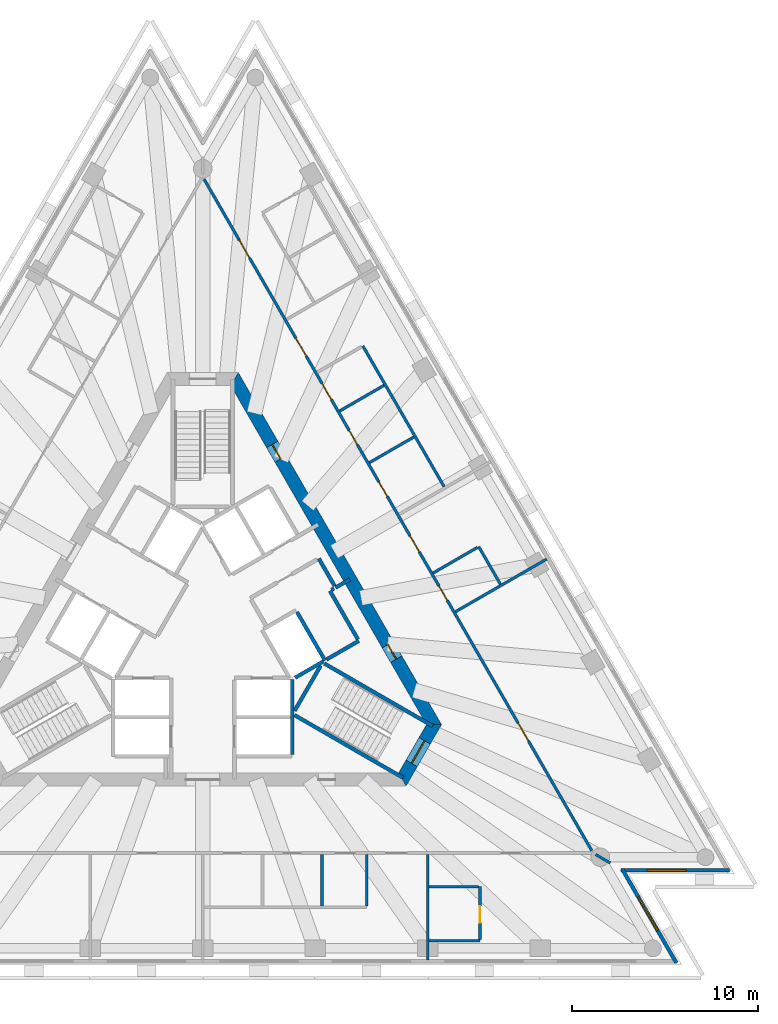
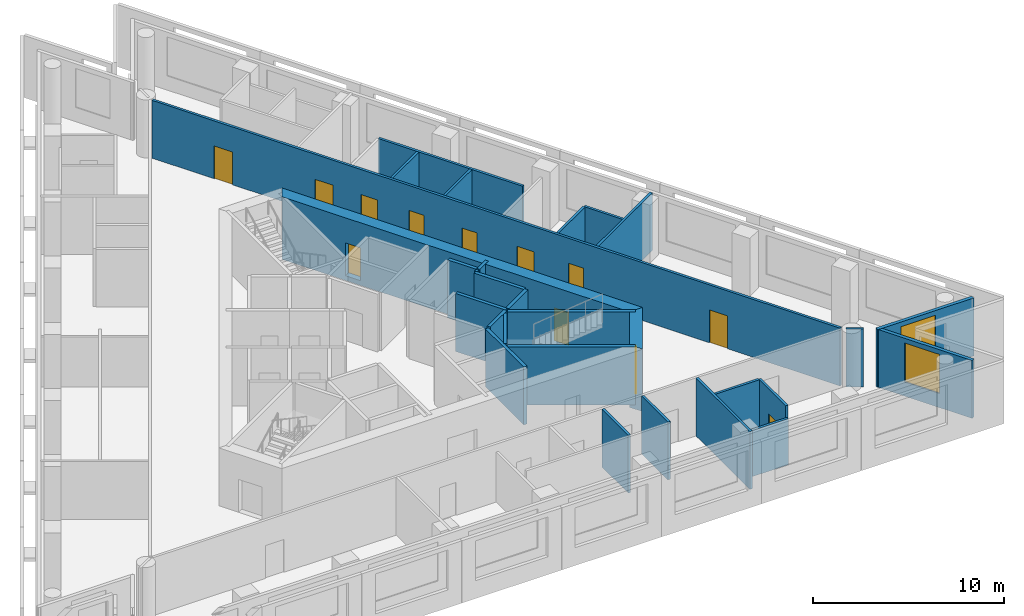
# One storey, part 5 of 9: 29 walls, 12 doors, 2 windows, 14 openings.
"""IFC4 building model written with IfcOpenShell, lengths in metres."""

from ifc_helpers import new_model, si_unit, direction, frame, frame_2d, origin, place, context, subcontext, project, spatial, polyline, rectangle, outline, extrude, material, layer, layer_set, layer_usage, type_object, element, fill, save


model = new_model("IFC4")

# Units and contexts
model_context = context("Model", 3, precision=1e-05, world=origin(), true_north=direction((0.0, 1.0)))
body_context = subcontext(model_context, "Body", "Model", "MODEL_VIEW")
ifc_project = project(units=[si_unit("LENGTHUNIT", "METRE"), si_unit("AREAUNIT", "SQUARE_METRE"), si_unit("VOLUMEUNIT", "CUBIC_METRE"), si_unit("PLANEANGLEUNIT", "RADIAN"), si_unit("MASSUNIT", "GRAM", prefix="KILO")], contexts=[model_context])

# Site, building, storey
site_placement = place(None, origin())
site = spatial("IfcSite", under=ifc_project, at=site_placement, CompositionType="ELEMENT")
building_placement = place(site_placement, origin())
building = spatial("IfcBuilding", under=site, at=building_placement, Name="Triada Interchange Tower", CompositionType="ELEMENT")
storey_placement = place(building_placement, frame((0.0, 0.0, 223.300048828125)))
storey = spatial("IfcBuildingStorey", under=building, at=storey_placement, Name="L52", CompositionType="ELEMENT", Elevation=223.300048828125)

# Walls
ifc_material_1 = material(Name="Concrete C30/37", Category="concrete")
ifc_layer_1 = layer(ifc_material_1, 0.199951171875)
ifc_layer_set_1 = layer_set([ifc_layer_1], Name="CORE WALL 200 EI 120")
wall_type_1 = type_object("IfcWallType", Name="CORE WALL 200 EI 120", PredefinedType="SOLIDWALL", material=ifc_layer_set_1)
wall_1_placement = place(storey_placement, frame((4.800048828125, -6.800048828125, 0.0), z_axis=(0.0, 0.0, 1.0), x_axis=(0.0, 1.0, 0.0)))
element("IfcWall", 1, at=wall_1_placement, inside=storey, type_object=wall_type_1, Name="Wall L50 56", PredefinedType="SOLIDWALL", context=body_context, shape_type="SweptSolid", body=[
    extrude(rectangle(XDim=4.031005859375, YDim=0.199951171875, at=frame_2d((2.015625, 0.0))), origin(), (0.0, 0.0, 1.0), 3.699951171875),
])
wall_2_placement = place(storey_placement, frame((7.12890625, 2.153076171875, 0.0), z_axis=(0.0, 0.0, 1.0), x_axis=(0.866083962871, 0.499898558967, 0.0)))
element("IfcWall", 2, at=wall_2_placement, inside=storey, type_object=wall_type_1, Name="Wall L50 58", PredefinedType="SOLIDWALL", context=body_context, shape_type="SweptSolid", body=[
    extrude(rectangle(XDim=0.880126953125, YDim=0.199951171875, at=frame_2d((0.43994140625, 0.0))), origin(), (0.0, 0.0, 1.0), 3.699951171875),
])
wall_3_placement = place(storey_placement, frame((5.056884765625, 0.841064453125, 0.0), z_axis=(0.0, 0.0, 1.0), x_axis=(0.499990139034, -0.866031096941, 0.0)))
element("IfcWall", 3, at=wall_3_placement, inside=storey, type_object=wall_type_1, Name="Wall L50 61", PredefinedType="SOLIDWALL", context=body_context, shape_type="SweptSolid", body=[
    extrude(rectangle(XDim=3.0, YDim=0.199951171875, at=frame_2d((1.5, 0.0))), origin(), (0.0, 0.0, 1.0), 3.699951171875),
])
wall_4_placement = place(storey_placement, frame((4.962890625, -2.677001953125, 0.0), z_axis=(0.0, 0.0, 1.0), x_axis=(0.866024383922, 0.50000176645, 0.0)))
element("IfcWall", 4, at=wall_4_placement, inside=storey, type_object=wall_type_1, Name="Wall L50 62", PredefinedType="SOLIDWALL", context=body_context, shape_type="SweptSolid", body=[
    extrude(rectangle(XDim=1.740234375, YDim=0.199951171875, at=frame_2d((0.8701171875, 0.0))), origin(), (0.0, 0.0, 1.0), 3.699951171875),
])
wall_5_placement = place(storey_placement, frame((6.22900390625, 3.7119140625, 0.0), z_axis=(0.0, 0.0, 1.0), x_axis=(0.499875724984, -0.86609714211, 0.0)))
element("IfcWall", 5, at=wall_5_placement, inside=storey, type_object=wall_type_1, Name="Wall L50 63", PredefinedType="SOLIDWALL", context=body_context, shape_type="SweptSolid", body=[
    extrude(rectangle(XDim=1.70068359375, YDim=0.199951171875, at=frame_2d((0.850341796875, 0.0))), origin(), (0.0, 0.0, 1.0), 3.699951171875),
])
ifc_layer_2 = layer(ifc_material_1, 0.199951171875)
ifc_layer_set_2 = layer_set([ifc_layer_2], Name="CORE WALL 200 EI 90")
wall_type_2 = type_object("IfcWallType", Name="CORE WALL 200 EI 90", PredefinedType="SOLIDWALL", material=ifc_layer_set_2)
wall_6_placement = place(storey_placement, frame((6.64208984375, -1.7080078125, 0.0), z_axis=(0.0, 0.0, 1.0), x_axis=(0.866043441391, 0.499968756647, 0.0)))
element("IfcWall", 6, at=wall_6_placement, inside=storey, type_object=wall_type_2, Name="Wall L50 83", PredefinedType="SOLIDWALL", context=body_context, shape_type="SweptSolid", body=[
    extrude(rectangle(XDim=2.002197265625, YDim=0.199951171875, at=frame_2d((1.0009765625, 0.0))), origin(), (0.0, 0.0, 1.0), 3.699951171875),
])
wall_7_placement = place(storey_placement, frame((6.825927734375, 1.97802734375, 0.0), z_axis=(0.0, 0.0, 1.0), x_axis=(0.499990139034, -0.866031096941, 0.0)))
element("IfcWall", 7, at=wall_7_placement, inside=storey, type_object=wall_type_2, Name="Wall L50 84", PredefinedType="SOLIDWALL", context=body_context, shape_type="SweptSolid", body=[
    extrude(rectangle(XDim=3.0, YDim=0.199951171875, at=frame_2d((1.5, 0.0))), origin(), (0.0, 0.0, 1.0), 3.699951171875),
])
wall_8_placement = place(storey_placement, frame((6.912109375, 2.028076171875, 0.0), z_axis=(0.0, 0.0, 1.0), x_axis=(0.866559367082, 0.499074005857, 0.0)))
element("IfcWall", 8, at=wall_8_placement, inside=storey, type_object=wall_type_2, Name="Wall L50 85", PredefinedType="SOLIDWALL", context=body_context, shape_type="SweptSolid", body=[
    extrude(rectangle(XDim=0.152099609375, YDim=0.199951171875, at=frame_2d((0.076171875, 0.0))), origin(), (0.0, 0.0, 1.0), 3.699951171875),
])
ifc_layer_3 = layer(ifc_material_1, 0.199951171875)
ifc_layer_set_3 = layer_set([ifc_layer_3], Name="CORE WALL 200 REI 240")
wall_type_3 = type_object("IfcWallType", Name="CORE WALL 200 REI 240", PredefinedType="SOLIDWALL", material=ifc_layer_set_3)
wall_9_placement = place(storey_placement, frame((4.928955078125, -4.4619140625, 0.0), z_axis=(0.0, 0.0, 1.0), x_axis=(0.500200581029, 0.865909567298, 0.0)))
element("IfcWall", 9, at=wall_9_placement, inside=storey, type_object=wall_type_3, Name="Wall L50 92", PredefinedType="SOLIDWALL", context=body_context, shape_type="SweptSolid", body=[
    extrude(rectangle(XDim=2.799072265625, YDim=0.199951171875, at=frame_2d((1.3994140625, 0.0))), origin(), (0.0, 0.0, 1.0), 3.699951171875),
])
wall_10_placement = place(storey_placement, frame((6.529052734375, -1.922119140625, 0.0), z_axis=(0.0, 0.0, 1.0), x_axis=(0.866046323291, -0.499963764601, 0.0)))
element("IfcWall", 10, at=wall_10_placement, inside=storey, type_object=wall_type_3, Name="Wall L50 93", PredefinedType="SOLIDWALL", context=body_context, shape_type="SweptSolid", body=[
    extrude(rectangle(XDim=6.71435546875, YDim=0.199951171875, at=frame_2d((3.357177734375, 0.0))), origin(), (0.0, 0.0, 1.0), 3.699951171875),
])
wall_11_placement = place(storey_placement, frame((4.928955078125, -4.693115234375, 0.0), z_axis=(0.0, 0.0, 1.0), x_axis=(0.865983344943, -0.500072840975, 0.0)))
element("IfcWall", 11, at=wall_11_placement, inside=storey, type_object=wall_type_3, Name="Wall L50 94", PredefinedType="SOLIDWALL", context=body_context, shape_type="SweptSolid", body=[
    extrude(rectangle(XDim=6.71484375, YDim=0.199951171875, at=frame_2d((3.357421875, 0.0))), origin(), (0.0, 0.0, 1.0), 3.699951171875),
])

# Wall, opening, door
ifc_material_2 = material(Name="Concrete C50/60", Category="concrete")
ifc_layer_4 = layer(ifc_material_2, 0.699951171875)
ifc_layer_set_4 = layer_set([ifc_layer_4], Name="Core wall C 700")
wall_type_4 = type_object("IfcWallType", Name="Core wall C 700", PredefinedType="SHEAR", material=ifc_layer_set_4)
wall_12_placement = place(storey_placement, frame((10.7099609375, -8.14990234375, -0.300048828125), z_axis=(0.0, 0.0, 1.0), x_axis=(0.49999337185, 0.866029230515, 0.0)))
wall_12 = element("IfcWall", 12, at=wall_12_placement, inside=storey, type_object=wall_type_4, Name="Core wall WC05 L52", PredefinedType="SHEAR", context=body_context, shape_type="SweptSolid", body=[
    extrude(outline(polyline([(-0.201904296875, -0.35009765625), (1.703125, -0.35009765625), (3.60791015625, -0.35009765625), (3.2041015625, 0.35009765625), (1.703125, 0.35009765625), (0.201904296875, 0.35009765625), (-0.201904296875, -0.35009765625)])), origin(), (0.0, 0.0, 1.0), 4.0),
])
opening_1_placement = place(wall_12_placement, frame((1.0029296875, 0.0, 0.300048828125)))
opening_1 = element("IfcOpeningElement", 13, at=opening_1_placement, cuts=wall_12, Name="Opening D50-41", PredefinedType="OPENING", context=body_context, shape_type="SweptSolid", body=[
    extrude(rectangle(XDim=1.39990234375, YDim=2.10009765625, at=frame_2d((0.699951171875, 1.050048828125))), frame((0.0, 0.360107421875, 0.0), z_axis=(0.0, -1.0, 0.0), x_axis=(1.0, 0.0, 0.0)), (0.0, 0.0, 1.0), 0.72021484375),
])
ifc_material_3 = material(Name="Steel S235 door leaf", Category="steel")
door_type_1 = type_object("IfcDoorType", Name="STAIR DOOR 1400 EI2 90-C5S200", OperationType="DOUBLE_DOOR_SINGLE_SWING", PredefinedType="DOOR", material=ifc_material_3)
door_1_placement = place(opening_1_placement, origin())
door_1 = element("IfcDoor", 14, at=door_1_placement, inside=storey, type_object=door_type_1, Name="Door D50-41 L52", OperationType="DOUBLE_DOOR_SINGLE_SWING", OverallHeight=2.10009765625, OverallWidth=1.39990234375, PredefinedType="DOOR", context=body_context, shape_type="SweptSolid", body=[
    extrude(rectangle(XDim=1.39990234375, YDim=2.10009765625, at=frame_2d((0.699951171875, 1.050048828125))), frame((0.0, 0.02490234375, 0.0), z_axis=(0.0, -1.0, 0.0), x_axis=(1.0, 0.0, 0.0)), (0.0, 0.0, 1.0), 0.050048828125),
])
fill(opening_1, door_1)

# Wall, openings, doors
wall_13_placement = place(storey_placement, frame((12.4130859375, -5.199951171875, -0.300048828125), z_axis=(0.0, 0.0, 1.0), x_axis=(-0.500011533395, 0.866018744874, 0.0)))
wall_13 = element("IfcWall", 15, at=wall_13_placement, inside=storey, type_object=wall_type_4, Name="Core wall WC06 L52", PredefinedType="SHEAR", context=body_context, shape_type="SweptSolid", body=[
    extrude(outline(polyline([(-0.201904296875, -0.35009765625), (1.781982421875, -0.35009765625), (3.76611328125, -0.35009765625), (5.75, -0.35009765625), (7.734130859375, -0.35009765625), (9.718017578125, -0.35009765625), (11.7021484375, -0.35009765625), (13.68603515625, -0.35009765625), (15.670166015625, -0.35009765625), (17.654052734375, -0.35009765625), (19.63818359375, -0.35009765625), (21.6220703125, -0.35009765625), (21.218017578125, 0.35009765625), (19.307373046875, 0.35009765625), (17.39697265625, 0.35009765625), (15.486328125, 0.35009765625), (13.57568359375, 0.35009765625), (11.665283203125, 0.35009765625), (9.754638671875, 0.35009765625), (7.84423828125, 0.35009765625), (5.93359375, 0.35009765625), (4.02294921875, 0.35009765625), (2.112548828125, 0.35009765625), (0.201904296875, 0.35009765625), (-0.201904296875, -0.35009765625)])), origin(), (0.0, 0.0, 1.0), 4.0),
])
opening_2_placement = place(wall_13_placement, frame((4.054931640625, 0.0, 0.300048828125)))
opening_2 = element("IfcOpeningElement", 16, at=opening_2_placement, cuts=wall_13, Name="Opening D50-45", PredefinedType="OPENING", context=body_context, shape_type="SweptSolid", body=[
    extrude(rectangle(XDim=0.89990234375, YDim=2.10009765625, at=frame_2d((0.449951171875, 1.050048828125))), frame((0.0, 0.360107421875, 0.0), z_axis=(0.0, -1.0, 0.0), x_axis=(1.0, 0.0, 0.0)), (0.0, 0.0, 1.0), 0.72021484375),
])
opening_3_placement = place(wall_13_placement, frame((16.465087890625, 0.0, 0.300048828125)))
opening_3 = element("IfcOpeningElement", 17, at=opening_3_placement, cuts=wall_13, Name="Opening D50-47", PredefinedType="OPENING", context=body_context, shape_type="SweptSolid", body=[
    extrude(rectangle(XDim=0.89990234375, YDim=2.10009765625, at=frame_2d((0.449951171875, 1.050048828125))), frame((0.0, 0.360107421875, 0.0), z_axis=(0.0, -1.0, 0.0), x_axis=(1.0, 0.0, 0.0)), (0.0, 0.0, 1.0), 0.72021484375),
])
door_type_2 = type_object("IfcDoorType", Name="RISER ACCESS DOOR 900 EI2 45-C5S200", OperationType="NOTDEFINED", PredefinedType="DOOR", material=ifc_material_3)
door_2_placement = place(opening_3_placement, origin())
door_2 = element("IfcDoor", 18, at=door_2_placement, inside=storey, type_object=door_type_2, Name="Door D50-47 L52", OperationType="SINGLE_SWING_RIGHT", OverallHeight=2.10009765625, OverallWidth=0.89990234375, PredefinedType="DOOR", context=body_context, shape_type="SweptSolid", body=[
    extrude(rectangle(XDim=0.89990234375, YDim=2.10009765625, at=frame_2d((0.449951171875, 1.050048828125))), frame((0.0, 0.02490234375, 0.0), z_axis=(0.0, -1.0, 0.0), x_axis=(1.0, 0.0, 0.0)), (0.0, 0.0, 1.0), 0.050048828125),
])
fill(opening_3, door_2)
door_type_3 = type_object("IfcDoorType", Name="SERVICE DOOR 900 EI2 45-C5S200", OperationType="NOTDEFINED", PredefinedType="DOOR", material=ifc_material_3)
door_3_placement = place(opening_2_placement, origin())
door_3 = element("IfcDoor", 19, at=door_3_placement, inside=storey, type_object=door_type_3, Name="Door D50-45 L52", OperationType="SINGLE_SWING_RIGHT", OverallHeight=2.10009765625, OverallWidth=0.89990234375, PredefinedType="DOOR", context=body_context, shape_type="SweptSolid", body=[
    extrude(rectangle(XDim=0.89990234375, YDim=2.10009765625, at=frame_2d((0.449951171875, 1.050048828125))), frame((0.0, 0.02490234375, 0.0), z_axis=(0.0, -1.0, 0.0), x_axis=(1.0, 0.0, 0.0)), (0.0, 0.0, 1.0), 0.050048828125),
])
fill(opening_2, door_3)

# Wall, opening, window
ifc_material_4 = material(Name="Cement board")
ifc_layer_5 = layer(ifc_material_4, 0.02001953125, Name="Cement board cladding")
ifc_material_5 = material(Name="Sheathing board")
ifc_layer_6 = layer(ifc_material_5, 0.014892578125, Name="Sheathing board")
ifc_material_6 = material(Name="Mineral wool")
ifc_layer_7 = layer(ifc_material_6, 0.14990234375, Name="Mineral wool between steel studs")
ifc_material_7 = material(Name="Gypsum board")
ifc_layer_8 = layer(ifc_material_7, 0.014892578125, Name="Plasterboard lining")
ifc_layer_set_5 = layer_set([ifc_layer_5, ifc_layer_6, ifc_layer_7, ifc_layer_8], Name="External wall 200")
ifc_layer_usage = layer_usage(ifc_layer_set_5, "AXIS2", "POSITIVE", -0.10009765625)
wall_type_5 = type_object("IfcWallType", Name="External wall 200", PredefinedType="ELEMENTEDWALL", material=ifc_layer_set_5)
wall_14_placement = place(storey_placement, frame((25.419921875, -17.988037109375, 0.0), z_axis=(0.0, 0.0, 1.0), x_axis=(-0.499910499212, 0.866077070922, 0.0)))
wall_14 = element("IfcWall", 20, at=wall_14_placement, inside=storey, type_object=wall_type_5, material=ifc_layer_usage, Name="External wall L52 SE-1", PredefinedType="ELEMENTEDWALL", context=body_context, shape_type="SweptSolid", body=[
    extrude(rectangle(XDim=5.806640625, YDim=0.199951171875, at=frame_2d((2.9033203125, 0.0))), origin(), (0.0, 0.0, 1.0), 3.699951171875),
])
opening_4_placement = place(wall_14_placement, frame((1.989990234375, 0.0, 0.89990234375)))
opening_4 = element("IfcOpeningElement", 21, at=opening_4_placement, cuts=wall_14, Name="Opening WC19", PredefinedType="OPENING", context=body_context, shape_type="SweptSolid", body=[
    extrude(rectangle(XDim=2.10009765625, YDim=2.5, at=frame_2d((1.050048828125, 1.25))), frame((0.0, 0.10986328125, 0.0), z_axis=(0.0, -1.0, 0.0), x_axis=(1.0, 0.0, 0.0)), (0.0, 0.0, 1.0), 0.219970703125),
])
ifc_material_8 = material(Name="Double glazed aluminium window", Category="aluminium")
window_type = type_object("IfcWindowType", Name="Ribbon window C pocket", PartitioningType="SINGLE_PANEL", PredefinedType="WINDOW", material=ifc_material_8)
window_1_placement = place(opening_4_placement, origin())
window_1 = element("IfcWindow", 22, at=window_1_placement, inside=storey, type_object=window_type, Name="Window L52 SE-1 1", OverallHeight=2.5, OverallWidth=2.10009765625, PartitioningType="SINGLE_PANEL", PredefinedType="WINDOW", context=body_context, shape_type="SweptSolid", body=[
    extrude(rectangle(XDim=2.10009765625, YDim=2.5, at=frame_2d((1.050048828125, 1.25))), frame((0.0, 0.030029296875, 0.0), z_axis=(0.0, -1.0, 0.0), x_axis=(1.0, 0.0, 0.0)), (0.0, 0.0, 1.0), 0.06005859375),
])
fill(opening_4, window_1)

wall_15_placement = place(storey_placement, frame((22.4619140625, -13.02001953125, 0.0), z_axis=(0.0, 0.0, 1.0), x_axis=(1.0, 0.0, 0.0)))
wall_15 = element("IfcWall", 23, at=wall_15_placement, inside=storey, type_object=wall_type_5, material=ifc_layer_usage, Name="External wall L52 SE-2", PredefinedType="ELEMENTEDWALL", context=body_context, shape_type="SweptSolid", body=[
    extrude(rectangle(XDim=5.80615234375, YDim=0.199951171875, at=frame_2d((2.903076171875, 0.0))), origin(), (0.0, 0.0, 1.0), 3.699951171875),
])
opening_5_placement = place(wall_15_placement, frame((1.389892578125, 0.0, 0.89990234375)))
opening_5 = element("IfcOpeningElement", 24, at=opening_5_placement, cuts=wall_15, Name="Opening WC20", PredefinedType="OPENING", context=body_context, shape_type="SweptSolid", body=[
    extrude(rectangle(XDim=2.10009765625, YDim=2.5, at=frame_2d((1.050048828125, 1.25))), frame((0.0, 0.10986328125, 0.0), z_axis=(0.0, -1.0, 0.0), x_axis=(1.0, 0.0, 0.0)), (0.0, 0.0, 1.0), 0.219970703125),
])
window_2_placement = place(opening_5_placement, origin())
window_2 = element("IfcWindow", 25, at=window_2_placement, inside=storey, type_object=window_type, Name="Window L52 SE-2 1", OverallHeight=2.5, OverallWidth=2.10009765625, PartitioningType="SINGLE_PANEL", PredefinedType="WINDOW", context=body_context, shape_type="SweptSolid", body=[
    extrude(rectangle(XDim=2.10009765625, YDim=2.5, at=frame_2d((1.050048828125, 1.25))), frame((0.0, 0.030029296875, 0.0), z_axis=(0.0, -1.0, 0.0), x_axis=(1.0, 0.0, 0.0)), (0.0, 0.0, 1.0), 0.06005859375),
])
fill(opening_5, window_2)

# Wall
ifc_material_9 = material(Name="Gypsum board partition")
ifc_layer_9 = layer(ifc_material_9, 0.14990234375)
ifc_layer_set_6 = layer_set([ifc_layer_9], Name="PARTITION 150 EI 180")
wall_type_6 = type_object("IfcWallType", Name="PARTITION 150 EI 180", PredefinedType="PARTITIONING", material=ifc_layer_set_6)
wall_16_placement = place(storey_placement, frame((21.0869140625, -12.175048828125, 0.0), z_axis=(0.0, 0.0, 1.0), x_axis=(0.866372959518, -0.499397532049, 0.0)))
element("IfcWall", 26, at=wall_16_placement, inside=storey, type_object=wall_type_6, Name="Wall L50 7", PredefinedType="PARTITIONING", context=body_context, shape_type="SweptSolid", body=[
    extrude(rectangle(XDim=0.91064453125, YDim=0.14990234375, at=frame_2d((0.455322265625, 0.0))), origin(), (0.0, 0.0, 1.0), 3.699951171875),
])

# Wall, openings, doors
wall_17_placement = place(storey_placement, frame((0.074951171875, 24.070068359375, 0.0), z_axis=(0.0, 0.0, 1.0), x_axis=(0.500006834213, -0.866021458014, 0.0)))
wall_17 = element("IfcWall", 27, at=wall_17_placement, inside=storey, type_object=wall_type_6, Name="Wall L50 16", PredefinedType="PARTITIONING", context=body_context, shape_type="SweptSolid", body=[
    extrude(rectangle(XDim=41.61572265625, YDim=0.14990234375, at=frame_2d((20.807861328125, 0.0))), origin(), (0.0, 0.0, 1.0), 3.699951171875),
])
opening_6_placement = place(wall_17_placement, frame((33.715087890625, 0.0, 0.0)))
opening_6 = element("IfcOpeningElement", 28, at=opening_6_placement, cuts=wall_17, Name="Opening D50-19", PredefinedType="OPENING", context=body_context, shape_type="SweptSolid", body=[
    extrude(rectangle(XDim=1.10009765625, YDim=2.10009765625, at=frame_2d((0.550048828125, 1.050048828125))), frame((0.0, 0.0849609375, 0.0), z_axis=(0.0, -1.0, 0.0), x_axis=(1.0, 0.0, 0.0)), (0.0, 0.0, 1.0), 0.169921875),
])
opening_7_placement = place(wall_17_placement, frame((22.097900390625, 0.0, 0.0)))
opening_7 = element("IfcOpeningElement", 29, at=opening_7_placement, cuts=wall_17, Name="Opening D50-20", PredefinedType="OPENING", context=body_context, shape_type="SweptSolid", body=[
    extrude(rectangle(XDim=1.0, YDim=2.10009765625, at=frame_2d((0.5, 1.050048828125))), frame((0.0, 0.0849609375, 0.0), z_axis=(0.0, -1.0, 0.0), x_axis=(1.0, 0.0, 0.0)), (0.0, 0.0, 1.0), 0.169921875),
])
opening_8_placement = place(wall_17_placement, frame((25.197998046875, 0.0, 0.0)))
opening_8 = element("IfcOpeningElement", 30, at=opening_8_placement, cuts=wall_17, Name="Opening D50-21", PredefinedType="OPENING", context=body_context, shape_type="SweptSolid", body=[
    extrude(rectangle(XDim=0.89990234375, YDim=2.10009765625, at=frame_2d((0.449951171875, 1.050048828125))), frame((0.0, 0.0849609375, 0.0), z_axis=(0.0, -1.0, 0.0), x_axis=(1.0, 0.0, 0.0)), (0.0, 0.0, 1.0), 0.169921875),
])
opening_9_placement = place(wall_17_placement, frame((9.85791015625, 0.0, 0.0)))
opening_9 = element("IfcOpeningElement", 31, at=opening_9_placement, cuts=wall_17, Name="Opening D50-22", PredefinedType="OPENING", context=body_context, shape_type="SweptSolid", body=[
    extrude(rectangle(XDim=1.10009765625, YDim=2.10009765625, at=frame_2d((0.550048828125, 1.050048828125))), frame((0.0, 0.0849609375, 0.0), z_axis=(0.0, -1.0, 0.0), x_axis=(1.0, 0.0, 0.0)), (0.0, 0.0, 1.0), 0.169921875),
])
opening_10_placement = place(wall_17_placement, frame((18.758056640625, 0.0, 0.0)))
opening_10 = element("IfcOpeningElement", 32, at=opening_10_placement, cuts=wall_17, Name="Opening D50-23", PredefinedType="OPENING", context=body_context, shape_type="SweptSolid", body=[
    extrude(rectangle(XDim=0.89990234375, YDim=2.10009765625, at=frame_2d((0.449951171875, 1.050048828125))), frame((0.0, 0.0849609375, 0.0), z_axis=(0.0, -1.0, 0.0), x_axis=(1.0, 0.0, 0.0)), (0.0, 0.0, 1.0), 0.169921875),
])
opening_11_placement = place(wall_17_placement, frame((15.55810546875, 0.0, 0.0)))
opening_11 = element("IfcOpeningElement", 33, at=opening_11_placement, cuts=wall_17, Name="Opening D50-24", PredefinedType="OPENING", context=body_context, shape_type="SweptSolid", body=[
    extrude(rectangle(XDim=0.89990234375, YDim=2.10009765625, at=frame_2d((0.449951171875, 1.050048828125))), frame((0.0, 0.0849609375, 0.0), z_axis=(0.0, -1.0, 0.0), x_axis=(1.0, 0.0, 0.0)), (0.0, 0.0, 1.0), 0.169921875),
])
opening_12_placement = place(wall_17_placement, frame((12.657958984375, 0.0, 0.0)))
opening_12 = element("IfcOpeningElement", 34, at=opening_12_placement, cuts=wall_17, Name="Opening D50-25", PredefinedType="OPENING", context=body_context, shape_type="SweptSolid", body=[
    extrude(rectangle(XDim=1.0, YDim=2.10009765625, at=frame_2d((0.5, 1.050048828125))), frame((0.0, 0.0849609375, 0.0), z_axis=(0.0, -1.0, 0.0), x_axis=(1.0, 0.0, 0.0)), (0.0, 0.0, 1.0), 0.169921875),
])
opening_13_placement = place(wall_17_placement, frame((3.77587890625, 0.0, 0.0)))
opening_13 = element("IfcOpeningElement", 35, at=opening_13_placement, cuts=wall_17, Name="Opening D50-26", PredefinedType="OPENING", context=body_context, shape_type="SweptSolid", body=[
    extrude(rectangle(XDim=1.10009765625, YDim=2.10009765625, at=frame_2d((0.550048828125, 1.050048828125))), frame((0.0, 0.0849609375, 0.0), z_axis=(0.0, -1.0, 0.0), x_axis=(1.0, 0.0, 0.0)), (0.0, 0.0, 1.0), 0.169921875),
])
door_type_4 = type_object("IfcDoorType", Name="ROOM DOOR 1000 EI2 90-C5S200", OperationType="NOTDEFINED", PredefinedType="DOOR", material=ifc_material_3)
door_4_placement = place(opening_7_placement, origin())
door_4 = element("IfcDoor", 36, at=door_4_placement, inside=storey, type_object=door_type_4, Name="Door D50-20 L52", OperationType="SINGLE_SWING_RIGHT", OverallHeight=2.10009765625, OverallWidth=1.0, PredefinedType="DOOR", context=body_context, shape_type="SweptSolid", body=[
    extrude(rectangle(XDim=1.0, YDim=2.10009765625, at=frame_2d((0.5, 1.050048828125))), frame((0.0, 0.02490234375, 0.0), z_axis=(0.0, -1.0, 0.0), x_axis=(1.0, 0.0, 0.0)), (0.0, 0.0, 1.0), 0.050048828125),
])
fill(opening_7, door_4)
door_5_placement = place(opening_12_placement, origin())
door_5 = element("IfcDoor", 37, at=door_5_placement, inside=storey, type_object=door_type_4, Name="Door D50-25 L52", OperationType="SINGLE_SWING_RIGHT", OverallHeight=2.10009765625, OverallWidth=1.0, PredefinedType="DOOR", context=body_context, shape_type="SweptSolid", body=[
    extrude(rectangle(XDim=1.0, YDim=2.10009765625, at=frame_2d((0.5, 1.050048828125))), frame((0.0, 0.02490234375, 0.0), z_axis=(0.0, -1.0, 0.0), x_axis=(1.0, 0.0, 0.0)), (0.0, 0.0, 1.0), 0.050048828125),
])
fill(opening_12, door_5)
door_type_5 = type_object("IfcDoorType", Name="ROOM DOOR 900 EI2 90-C5S200", OperationType="NOTDEFINED", PredefinedType="DOOR", material=ifc_material_3)
door_6_placement = place(opening_10_placement, origin())
door_6 = element("IfcDoor", 38, at=door_6_placement, inside=storey, type_object=door_type_5, Name="Door D50-23 L52", OperationType="SINGLE_SWING_RIGHT", OverallHeight=2.10009765625, OverallWidth=0.89990234375, PredefinedType="DOOR", context=body_context, shape_type="SweptSolid", body=[
    extrude(rectangle(XDim=0.89990234375, YDim=2.10009765625, at=frame_2d((0.449951171875, 1.050048828125))), frame((0.0, 0.02490234375, 0.0), z_axis=(0.0, -1.0, 0.0), x_axis=(1.0, 0.0, 0.0)), (0.0, 0.0, 1.0), 0.050048828125),
])
fill(opening_10, door_6)
door_7_placement = place(opening_11_placement, origin())
door_7 = element("IfcDoor", 39, at=door_7_placement, inside=storey, type_object=door_type_5, Name="Door D50-24 L52", OperationType="SINGLE_SWING_LEFT", OverallHeight=2.10009765625, OverallWidth=0.89990234375, PredefinedType="DOOR", context=body_context, shape_type="SweptSolid", body=[
    extrude(rectangle(XDim=0.89990234375, YDim=2.10009765625, at=frame_2d((0.449951171875, 1.050048828125))), frame((0.0, 0.02490234375, 0.0), z_axis=(0.0, -1.0, 0.0), x_axis=(1.0, 0.0, 0.0)), (0.0, 0.0, 1.0), 0.050048828125),
])
fill(opening_11, door_7)
door_type_6 = type_object("IfcDoorType", Name="SERVICE DOOR 900 EI2 90-C5S200", OperationType="NOTDEFINED", PredefinedType="DOOR", material=ifc_material_3)
door_8_placement = place(opening_8_placement, origin())
door_8 = element("IfcDoor", 40, at=door_8_placement, inside=storey, type_object=door_type_6, Name="Door D50-21 L52", OperationType="SINGLE_SWING_LEFT", OverallHeight=2.10009765625, OverallWidth=0.89990234375, PredefinedType="DOOR", context=body_context, shape_type="SweptSolid", body=[
    extrude(rectangle(XDim=0.89990234375, YDim=2.10009765625, at=frame_2d((0.449951171875, 1.050048828125))), frame((0.0, 0.02490234375, 0.0), z_axis=(0.0, -1.0, 0.0), x_axis=(1.0, 0.0, 0.0)), (0.0, 0.0, 1.0), 0.050048828125),
])
fill(opening_8, door_8)
door_type_7 = type_object("IfcDoorType", Name="TENANCY ENTRANCE DOOR 1100 EI2 90-C5S200", OperationType="NOTDEFINED", PredefinedType="DOOR", material=ifc_material_3)
door_9_placement = place(opening_6_placement, origin())
door_9 = element("IfcDoor", 41, at=door_9_placement, inside=storey, type_object=door_type_7, Name="Door D50-19 L52", OperationType="SINGLE_SWING_RIGHT", OverallHeight=2.10009765625, OverallWidth=1.10009765625, PredefinedType="DOOR", context=body_context, shape_type="SweptSolid", body=[
    extrude(rectangle(XDim=1.10009765625, YDim=2.10009765625, at=frame_2d((0.550048828125, 1.050048828125))), frame((0.0, 0.02490234375, 0.0), z_axis=(0.0, -1.0, 0.0), x_axis=(1.0, 0.0, 0.0)), (0.0, 0.0, 1.0), 0.050048828125),
])
fill(opening_6, door_9)
door_10_placement = place(opening_9_placement, origin())
door_10 = element("IfcDoor", 42, at=door_10_placement, inside=storey, type_object=door_type_7, Name="Door D50-22 L52", OperationType="SINGLE_SWING_LEFT", OverallHeight=2.10009765625, OverallWidth=1.10009765625, PredefinedType="DOOR", context=body_context, shape_type="SweptSolid", body=[
    extrude(rectangle(XDim=1.10009765625, YDim=2.10009765625, at=frame_2d((0.550048828125, 1.050048828125))), frame((0.0, 0.02490234375, 0.0), z_axis=(0.0, -1.0, 0.0), x_axis=(1.0, 0.0, 0.0)), (0.0, 0.0, 1.0), 0.050048828125),
])
fill(opening_9, door_10)
door_11_placement = place(opening_13_placement, origin())
door_11 = element("IfcDoor", 43, at=door_11_placement, inside=storey, type_object=door_type_7, Name="Door D50-26 L52", OperationType="SINGLE_SWING_LEFT", OverallHeight=2.10009765625, OverallWidth=1.10009765625, PredefinedType="DOOR", context=body_context, shape_type="SweptSolid", body=[
    extrude(rectangle(XDim=1.10009765625, YDim=2.10009765625, at=frame_2d((0.550048828125, 1.050048828125))), frame((0.0, 0.02490234375, 0.0), z_axis=(0.0, -1.0, 0.0), x_axis=(1.0, 0.0, 0.0)), (0.0, 0.0, 1.0), 0.050048828125),
])
fill(opening_13, door_11)

# Walls
wall_18_placement = place(storey_placement, frame((8.594970703125, 15.1240234375, 0.0), z_axis=(0.0, 0.0, 1.0), x_axis=(0.499970334739, -0.866042530354, 0.0)))
element("IfcWall", 44, at=wall_18_placement, inside=storey, type_object=wall_type_6, Name="Wall L50 19", PredefinedType="PARTITIONING", context=body_context, shape_type="SweptSolid", body=[
    extrude(rectangle(XDim=8.724609375, YDim=0.14990234375, at=frame_2d((4.3623046875, 0.0))), origin(), (0.0, 0.0, 1.0), 3.699951171875),
])
wall_19_placement = place(storey_placement, frame((14.81494140625, 4.35009765625, 0.0), z_axis=(0.0, 0.0, 1.0), x_axis=(0.499934593286, -0.866063163075, 0.0)))
element("IfcWall", 45, at=wall_19_placement, inside=storey, type_object=wall_type_6, Name="Wall L50 20", PredefinedType="PARTITIONING", context=body_context, shape_type="SweptSolid", body=[
    extrude(rectangle(XDim=2.324462890625, YDim=0.14990234375, at=frame_2d((1.162109375, 0.0))), origin(), (0.0, 0.0, 1.0), 3.699951171875),
])
for number, where, z_axis, x_axis, name in (
    (46, (8.800048828125, -14.929931640625, 0.0), (0.0, 0.0, 1.0), (0.0, 1.0, 0.0), "Wall L50 22"),
    (47, (6.39990234375, -14.929931640625, 0.0), (0.0, 0.0, 1.0), (0.0, 1.0, 0.0), "Wall L50 23"),
):
    element("IfcWall", number, at=place(storey_placement, frame(where, z_axis=z_axis, x_axis=x_axis)), inside=storey, type_object=wall_type_6, Name=name, PredefinedType="PARTITIONING", context=body_context, shape_type="SweptSolid", body=[
        extrude(rectangle(XDim=2.7548828125, YDim=0.14990234375, at=frame_2d((1.37744140625, 0.0))), origin(), (0.0, 0.0, 1.0), 3.699951171875),
    ])
wall_20_placement = place(storey_placement, frame((7.343994140625, 11.6298828125, 0.0), z_axis=(0.0, 0.0, 1.0), x_axis=(0.86592732884, 0.500169832324, 0.0)))
element("IfcWall", 48, at=wall_20_placement, inside=storey, type_object=wall_type_6, Name="Wall L50 24", PredefinedType="PARTITIONING", context=body_context, shape_type="SweptSolid", body=[
    extrude(rectangle(XDim=2.75537109375, YDim=0.14990234375, at=frame_2d((1.377685546875, 0.0))), origin(), (0.0, 0.0, 1.0), 3.699951171875),
])
wall_21_placement = place(storey_placement, frame((8.944091796875, 8.85888671875, 0.0), z_axis=(0.0, 0.0, 1.0), x_axis=(0.866080816704, 0.499904009723, 0.0)))
element("IfcWall", 49, at=wall_21_placement, inside=storey, type_object=wall_type_6, Name="Wall L50 25", PredefinedType="PARTITIONING", context=body_context, shape_type="SweptSolid", body=[
    extrude(rectangle(XDim=2.7548828125, YDim=0.14990234375, at=frame_2d((1.37744140625, 0.0))), origin(), (0.0, 0.0, 1.0), 3.699951171875),
])
wall_22_placement = place(storey_placement, frame((12.0810546875, -17.830078125, 0.0), z_axis=(0.0, 0.0, 1.0), x_axis=(0.0, 1.0, 0.0)))
element("IfcWall", 50, at=wall_22_placement, inside=storey, type_object=wall_type_6, Name="Wall L50 26", PredefinedType="PARTITIONING", context=body_context, shape_type="SweptSolid", body=[
    extrude(rectangle(XDim=5.655029296875, YDim=0.14990234375, at=frame_2d((2.82763671875, 0.0))), origin(), (0.0, 0.0, 1.0), 3.699951171875),
])
wall_23_placement = place(storey_placement, frame((12.364013671875, 2.93505859375, 0.0), z_axis=(0.0, 0.0, 1.0), x_axis=(0.865965703354, 0.500103389924, 0.0)))
element("IfcWall", 51, at=wall_23_placement, inside=storey, type_object=wall_type_6, Name="Wall L50 27", PredefinedType="PARTITIONING", context=body_context, shape_type="SweptSolid", body=[
    extrude(rectangle(XDim=2.75537109375, YDim=0.14990234375, at=frame_2d((1.377685546875, 0.0))), origin(), (0.0, 0.0, 1.0), 3.699951171875),
])
wall_24_placement = place(storey_placement, frame((13.56396484375, 0.85693359375, 0.0), z_axis=(0.0, 0.0, 1.0), x_axis=(0.866034596441, 0.499984077514, 0.0)))
element("IfcWall", 52, at=wall_24_placement, inside=storey, type_object=wall_type_6, Name="Wall L50 28", PredefinedType="PARTITIONING", context=body_context, shape_type="SweptSolid", body=[
    extrude(rectangle(XDim=5.654541015625, YDim=0.14990234375, at=frame_2d((2.8271484375, 0.0))), origin(), (0.0, 0.0, 1.0), 3.699951171875),
])
ifc_layer_10 = layer(ifc_material_9, 0.14990234375)
ifc_layer_set_7 = layer_set([ifc_layer_10], Name="PARTITION 150 EI 90")
wall_type_7 = type_object("IfcWallType", Name="PARTITION 150 EI 90", PredefinedType="PARTITIONING", material=ifc_layer_set_7)
wall_25_placement = place(storey_placement, frame((12.156005859375, -16.804931640625, 0.0), z_axis=(0.0, 0.0, 1.0), x_axis=(1.0, 0.0, 0.0)))
element("IfcWall", 53, at=wall_25_placement, inside=storey, type_object=wall_type_7, Name="Wall L50 38", PredefinedType="PARTITIONING", context=body_context, shape_type="SweptSolid", body=[
    extrude(rectangle(XDim=2.72509765625, YDim=0.14990234375, at=frame_2d((1.362548828125, 0.0))), origin(), (0.0, 0.0, 1.0), 2.949951171875),
])

# Wall, opening, door
wall_26_placement = place(storey_placement, frame((14.881103515625, -16.72998046875, 0.0), z_axis=(0.0, 0.0, 1.0), x_axis=(0.0, 1.0, 0.0)))
wall_26 = element("IfcWall", 54, at=wall_26_placement, inside=storey, type_object=wall_type_7, Name="Wall L50 39", PredefinedType="PARTITIONING", context=body_context, shape_type="SweptSolid", body=[
    extrude(rectangle(XDim=2.830078125, YDim=0.14990234375, at=frame_2d((1.4150390625, 0.0))), origin(), (0.0, 0.0, 1.0), 3.699951171875),
])
opening_14_placement = place(wall_26_placement, frame((0.8798828125, 0.0, 0.0)))
opening_14 = element("IfcOpeningElement", 55, at=opening_14_placement, cuts=wall_26, Name="Opening D50-18", PredefinedType="OPENING", context=body_context, shape_type="SweptSolid", body=[
    extrude(rectangle(XDim=0.89990234375, YDim=2.10009765625, at=frame_2d((0.449951171875, 1.050048828125))), frame((0.0, 0.0849609375, 0.0), z_axis=(0.0, -1.0, 0.0), x_axis=(1.0, 0.0, 0.0)), (0.0, 0.0, 1.0), 0.169921875),
])
door_type_8 = type_object("IfcDoorType", Name="ROOM DOOR 900 EI2 45-C5S200", OperationType="NOTDEFINED", PredefinedType="DOOR", material=ifc_material_3)
door_12_placement = place(opening_14_placement, origin())
door_12 = element("IfcDoor", 56, at=door_12_placement, inside=storey, type_object=door_type_8, Name="Door D50-18 L52", OperationType="SINGLE_SWING_LEFT", OverallHeight=2.10009765625, OverallWidth=0.89990234375, PredefinedType="DOOR", context=body_context, shape_type="SweptSolid", body=[
    extrude(rectangle(XDim=0.89990234375, YDim=2.10009765625, at=frame_2d((0.449951171875, 1.050048828125))), frame((0.0, 0.02490234375, 0.0), z_axis=(0.0, -1.0, 0.0), x_axis=(1.0, 0.0, 0.0)), (0.0, 0.0, 1.0), 0.050048828125),
])
fill(opening_14, door_12)

# Wall
wall_27_placement = place(storey_placement, frame((12.156005859375, -13.89990234375, 0.0), z_axis=(0.0, 0.0, 1.0), x_axis=(1.0, 0.0, 0.0)))
element("IfcWall", 57, at=wall_27_placement, inside=storey, type_object=wall_type_7, Name="Wall L50 40", PredefinedType="PARTITIONING", context=body_context, shape_type="SweptSolid", body=[
    extrude(rectangle(XDim=2.64990234375, YDim=0.14990234375, at=frame_2d((1.324951171875, 0.0))), origin(), (0.0, 0.0, 1.0), 3.699951171875),
])

save(model, "model.ifc")
